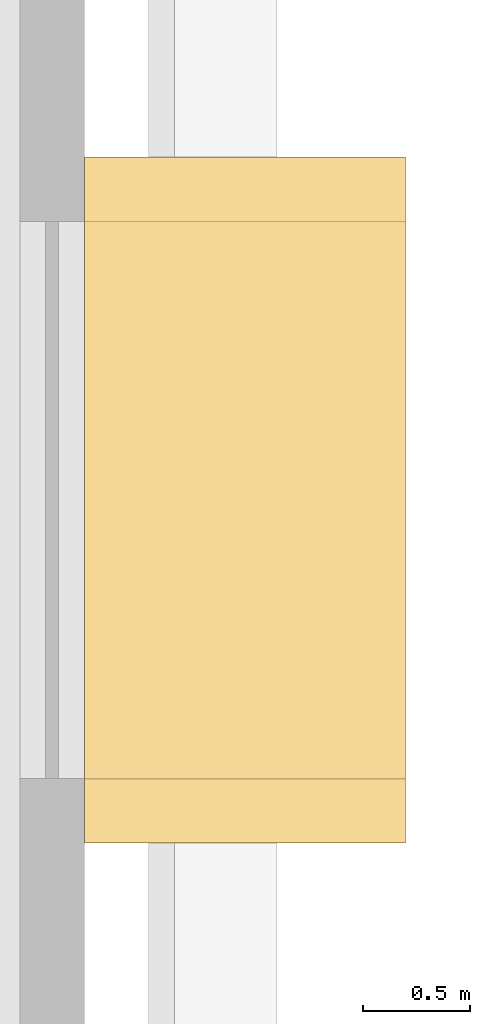
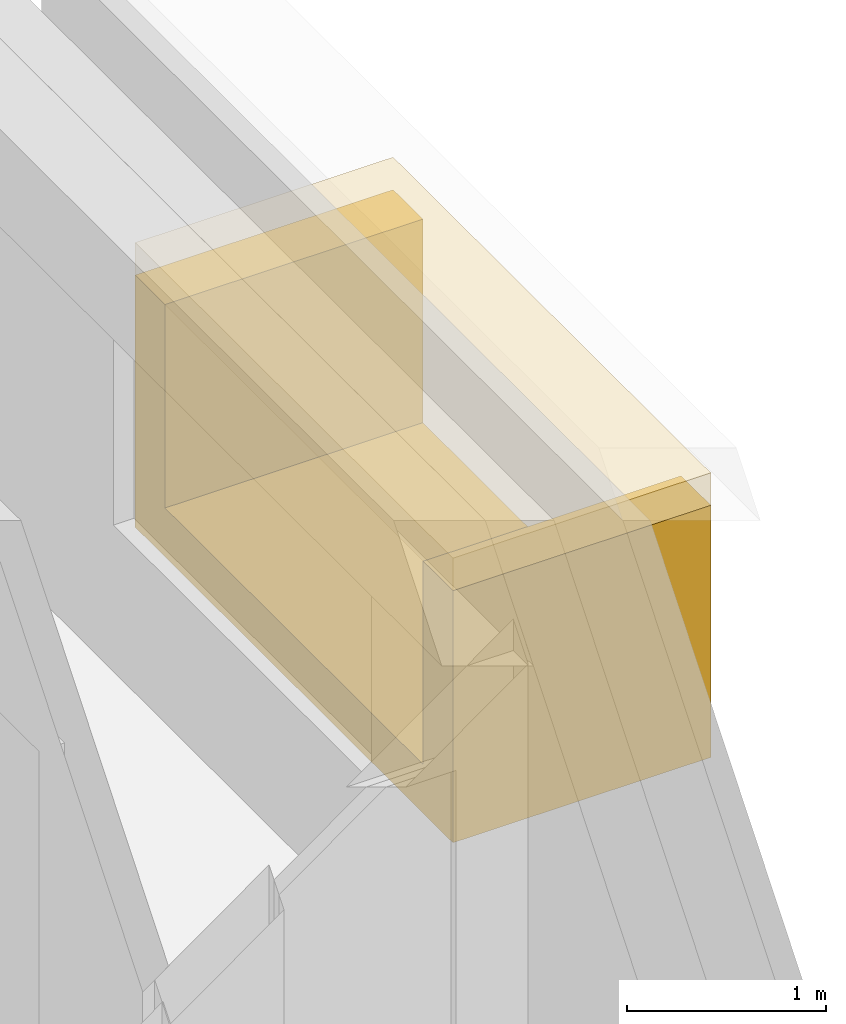
# One storey, part 12 of 12: 2 coverings.
"""IFC4 building model written with IfcOpenShell, lengths in metres."""

from ifc_helpers import new_model, si_unit, direction, frame, origin, origin_2d, place, context, subcontext, project, spatial, polyline, rectangle, outline, extrude, material, layer, layer_set, type_object, element, save


model = new_model("IFC4")

# Units and contexts
model_context = context("Model", 3, precision=1e-05, world=origin(), true_north=direction((0.0, 1.0)))
body_context = subcontext(model_context, "Body", "Model", "MODEL_VIEW")
ifc_project = project(units=[si_unit("LENGTHUNIT", "METRE"), si_unit("AREAUNIT", "SQUARE_METRE"), si_unit("VOLUMEUNIT", "CUBIC_METRE"), si_unit("PLANEANGLEUNIT", "RADIAN"), si_unit("MASSUNIT", "GRAM", prefix="KILO")], contexts=[model_context])

# Site, building, storey
site_placement = place(None, origin())
site = spatial("IfcSite", under=ifc_project, at=site_placement, CompositionType="ELEMENT")
building_placement = place(site_placement, origin())
building = spatial("IfcBuilding", under=site, at=building_placement, Name="Kiln Ring Residences", CompositionType="ELEMENT")
storey_placement = place(building_placement, frame((0.0, 0.0, 306.89990234375)))
storey = spatial("IfcBuildingStorey", under=building, at=storey_placement, Name="L79 Crown", CompositionType="ELEMENT", Elevation=306.89990234375)

# Coverings
ifc_material_1 = material(Name="Brick masonry, dark clay brick", Category="masonry")
ifc_layer_1 = layer(ifc_material_1, 0.300048828125)
ifc_layer_set_1 = layer_set([ifc_layer_1], Name="FRAME CHEEKS AND SILL 1500")
covering_type_1 = type_object("IfcCoveringType", Name="FRAME CHEEKS AND SILL 1500", PredefinedType="CLADDING", material=ifc_layer_set_1)
covering_1_placement = place(storey_placement, frame((-14.25, 14.4375, 0.60009765625), z_axis=(0.0, 0.0, 1.0), x_axis=(0.0, 1.0, 0.0)))
element("IfcCovering", 1, at=covering_1_placement, inside=storey, type_object=covering_type_1, Name="FRAME L79 Crown", PredefinedType="CLADDING", context=body_context, shape_type="SweptSolid", body=[
    extrude(outline(polyline([(0.0, 0.0), (3.199951171875, 0.0), (3.199951171875, 1.550048828125), (2.90087890625, 1.550048828125), (2.89990234375, 0.300048828125), (0.300048828125, 0.300048828125), (0.299072265625, 1.550048828125), (0.0, 1.550048828125), (0.0, 0.0)])), frame((0.0, 0.75, 0.0), z_axis=(0.0, -1.0, 0.0), x_axis=(1.0, 0.0, 0.0)), (0.0, 0.0, 1.0), 1.5),
])
ifc_material_2 = material(Name="Brick masonry, dark clay brick", Category="masonry")
ifc_layer_2 = layer(ifc_material_2, 0.199951171875)
ifc_layer_set_2 = layer_set([ifc_layer_2], Name="FRAME HEAD 1500")
covering_type_2 = type_object("IfcCoveringType", Name="FRAME HEAD 1500", PredefinedType="CLADDING", material=ifc_layer_set_2)
covering_2_placement = place(storey_placement, frame((-14.25, 16.03759765625, 2.14990234375), z_axis=(0.0, 0.0, 1.0), x_axis=(0.0, 1.0, 0.0)))
element("IfcCovering", 2, at=covering_2_placement, inside=storey, type_object=covering_type_2, Name="FRAME HEAD L79 Crown", PredefinedType="CLADDING", context=body_context, shape_type="SweptSolid", body=[
    extrude(rectangle(XDim=3.199951171875, YDim=1.5, at=origin_2d()), origin(), (0.0, 0.0, 1.0), 0.199951171875),
])

save(model, "model.ifc")
